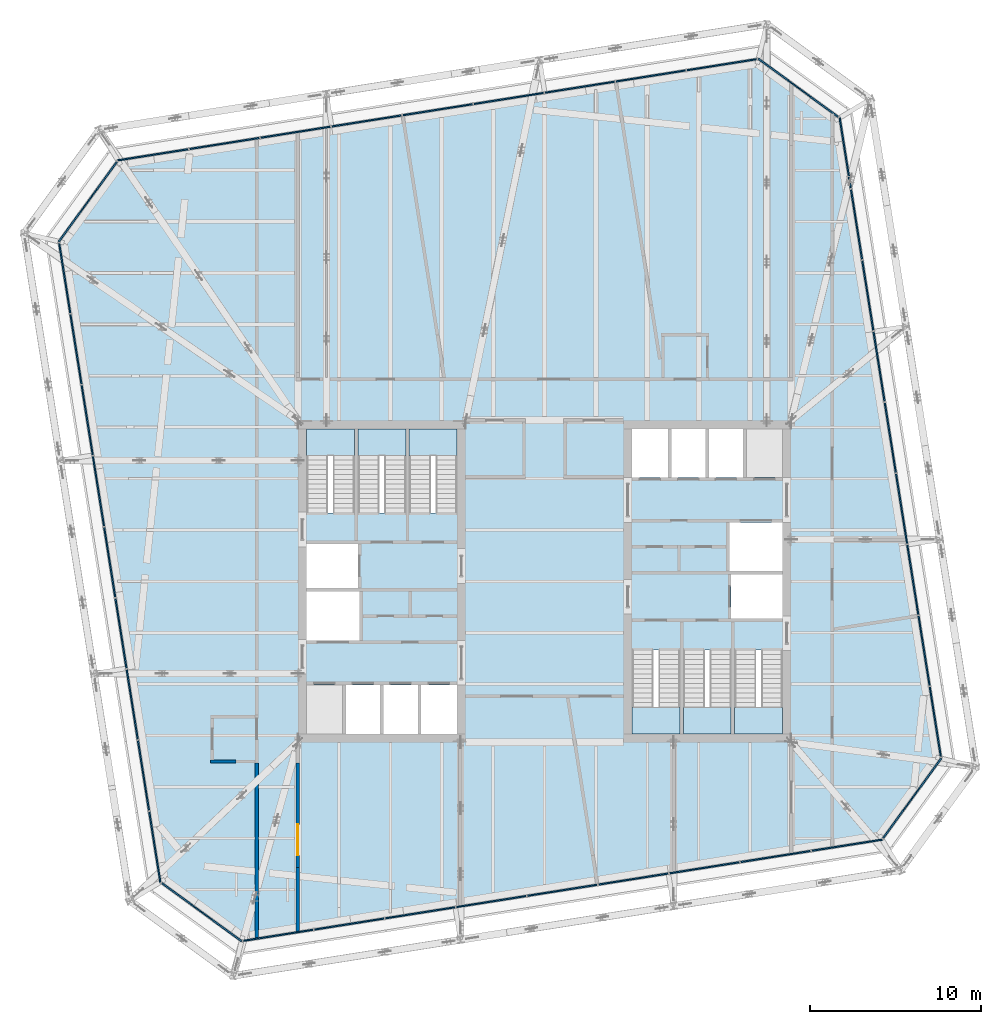
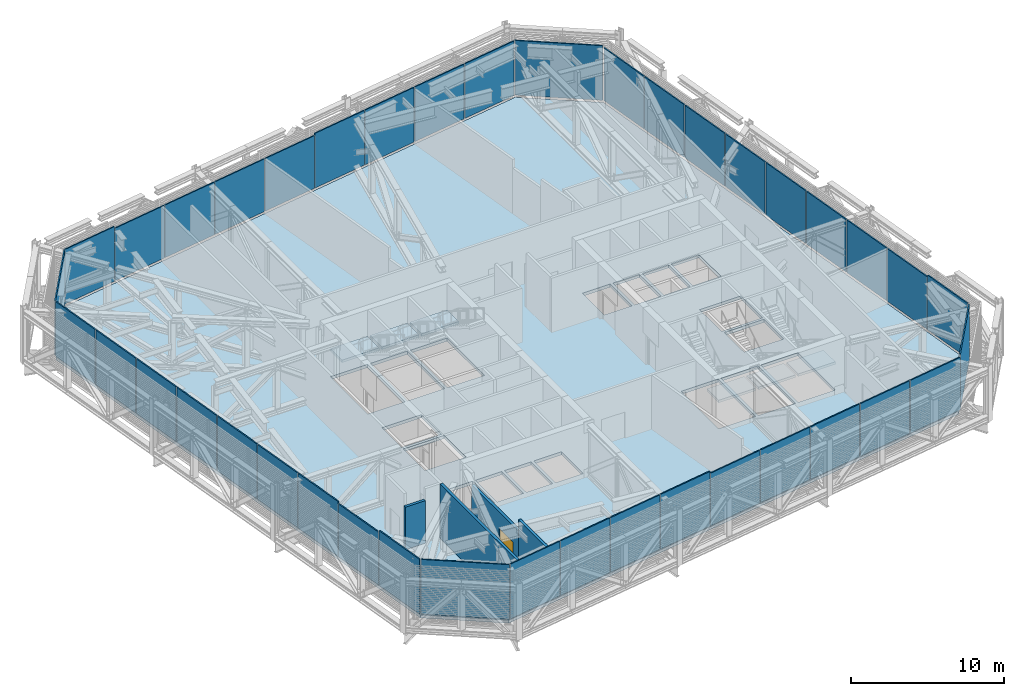
# One storey, part 20 of 32: 40 plates, 7 slabs, 4 walls, 1 door, 1 opening, 14 elements without a shape of their own.
"""IFC4 building model written with IfcOpenShell, lengths in metres."""

from ifc_helpers import new_model, si_unit, direction, frame, frame_2d, origin, place, context, subcontext, project, spatial, polyline, rectangle, outline, extrude, material, layer, layer_set, type_object, element, fill, aggregate, save


model = new_model("IFC4")

# Units and contexts
model_context = context("Model", 3, precision=1e-05, world=origin(), true_north=direction((0.0, 1.0)))
body_context = subcontext(model_context, "Body", "Model", "MODEL_VIEW")
ifc_project = project(units=[si_unit("LENGTHUNIT", "METRE"), si_unit("AREAUNIT", "SQUARE_METRE"), si_unit("VOLUMEUNIT", "CUBIC_METRE"), si_unit("PLANEANGLEUNIT", "RADIAN"), si_unit("MASSUNIT", "GRAM", prefix="KILO")], contexts=[model_context])

# Site, building, storey
site_placement = place(None, origin())
site = spatial("IfcSite", under=ifc_project, at=site_placement, CompositionType="ELEMENT")
building_placement = place(site_placement, origin())
building = spatial("IfcBuilding", under=site, at=building_placement, Name="Millrace Tower", CompositionType="ELEMENT")
storey_placement = place(building_placement, frame((0.0, 0.0, 266.89990234375)))
storey = spatial("IfcBuildingStorey", under=building, at=storey_placement, Name="L61", CompositionType="ELEMENT", Elevation=266.89990234375)

# Curtain wall, plate
ifc_material_1 = material(Name="Aluminium and glass", Category="aluminium")
ifc_layer_1 = layer(ifc_material_1, 0.14990234375)
ifc_layer_set_1 = layer_set([ifc_layer_1], Name="Aluminium and glass")
curtain_wall_type = type_object("IfcCurtainWallType", Name="CW-5 truss and plant storey louvred infill", PredefinedType="NOTDEFINED", material=ifc_layer_set_1)
placement_1 = place(storey_placement, origin())
curtain_wall_1 = element("IfcCurtainWall", 1, at=placement_1, inside=storey, type_object=curtain_wall_type, Name="Curtain wall D-F01 L61", PredefinedType="NOTDEFINED")
ifc_material_2 = material(Name="Glass", Category="glass")
ifc_layer_2 = layer(ifc_material_2, 0.090087890625)
ifc_layer_set_2 = layer_set([ifc_layer_2], Name="Glass")
plate_type = type_object("IfcPlateType", Name="CW-5 truss and plant storey louvred infill louvre cassette", PredefinedType="CURTAIN_PANEL", material=ifc_layer_set_2)
placement_2 = place(storey_placement, frame((0.0, 0.0, 0.14013671875)))
plate_1 = element("IfcPlate", 2, at=placement_2, type_object=plate_type, Name="CW5 panel D-F01.1", PredefinedType="CURTAIN_PANEL", context=body_context, shape_type="SweptSolid", body=[
    extrude(outline(polyline([(-22.378173828125, -17.650634765625), (-17.69970703125, -21.0498046875), (-17.677001953125, -20.955078125), (-22.3251953125, -17.577880859375), (-22.378173828125, -17.650634765625)])), origin(), (0.0, 0.0, 1.0), 4.35986328125),
])
aggregate(curtain_wall_1, [plate_1])

# Curtain wall, plates
curtain_wall_2 = element("IfcCurtainWall", 3, at=placement_1, inside=storey, type_object=curtain_wall_type, Name="Curtain wall D-F02 L61", PredefinedType="NOTDEFINED")
plate_2 = element("IfcPlate", 4, at=placement_2, type_object=plate_type, Name="CW5 panel D-F02.1", PredefinedType="CURTAIN_PANEL", context=body_context, shape_type="SweptSolid", body=[
    extrude(outline(polyline([(-17.58642578125, -21.03173828125), (-13.502197265625, -20.385009765625), (-13.516357421875, -20.296142578125), (-17.600341796875, -20.94287109375), (-17.58642578125, -21.03173828125)])), origin(), (0.0, 0.0, 1.0), 4.35986328125),
])
plate_3 = element("IfcPlate", 5, at=placement_2, type_object=plate_type, Name="CW5 panel D-F02.2", PredefinedType="CURTAIN_PANEL", context=body_context, shape_type="SweptSolid", body=[
    extrude(outline(polyline([(-13.43798828125, -20.374755859375), (-9.35400390625, -19.72802734375), (-9.367919921875, -19.638916015625), (-13.4521484375, -20.285888671875), (-13.43798828125, -20.374755859375)])), origin(), (0.0, 0.0, 1.0), 4.35986328125),
])
plate_4 = element("IfcPlate", 6, at=placement_2, type_object=plate_type, Name="CW5 panel D-F02.3", PredefinedType="CURTAIN_PANEL", context=body_context, shape_type="SweptSolid", body=[
    extrude(outline(polyline([(-9.289794921875, -19.7177734375), (-5.20556640625, -19.07080078125), (-5.2197265625, -18.98193359375), (-9.303955078125, -19.62890625), (-9.289794921875, -19.7177734375)])), origin(), (0.0, 0.0, 1.0), 4.35986328125),
])
plate_5 = element("IfcPlate", 7, at=placement_2, type_object=plate_type, Name="CW5 panel D-F02.4", PredefinedType="CURTAIN_PANEL", context=body_context, shape_type="SweptSolid", body=[
    extrude(outline(polyline([(-5.141357421875, -19.060791015625), (-1.057373046875, -18.413818359375), (-1.071533203125, -18.324951171875), (-5.155517578125, -18.971923828125), (-5.141357421875, -19.060791015625)])), origin(), (0.0, 0.0, 1.0), 4.35986328125),
])
plate_6 = element("IfcPlate", 8, at=placement_2, type_object=plate_type, Name="CW5 panel D-F02.5", PredefinedType="CURTAIN_PANEL", context=body_context, shape_type="SweptSolid", body=[
    extrude(outline(polyline([(-0.9931640625, -18.40380859375), (3.0908203125, -17.7568359375), (3.076904296875, -17.66796875), (-1.00732421875, -18.314697265625), (-0.9931640625, -18.40380859375)])), origin(), (0.0, 0.0, 1.0), 4.199951171875),
])
plate_7 = element("IfcPlate", 9, at=placement_2, type_object=plate_type, Name="CW5 panel D-F02.6", PredefinedType="CURTAIN_PANEL", context=body_context, shape_type="SweptSolid", body=[
    extrude(outline(polyline([(3.155029296875, -17.74658203125), (7.2392578125, -17.099853515625), (7.22509765625, -17.010986328125), (3.14111328125, -17.65771484375), (3.155029296875, -17.74658203125)])), origin(), (0.0, 0.0, 1.0), 4.199951171875),
])
plate_8 = element("IfcPlate", 10, at=placement_2, type_object=plate_type, Name="CW5 panel D-F02.7", PredefinedType="CURTAIN_PANEL", context=body_context, shape_type="SweptSolid", body=[
    extrude(outline(polyline([(7.303466796875, -17.089599609375), (11.387451171875, -16.44287109375), (11.37353515625, -16.35400390625), (7.289306640625, -17.000732421875), (7.303466796875, -17.089599609375)])), origin(), (0.0, 0.0, 1.0), 4.199951171875),
])
plate_9 = element("IfcPlate", 11, at=placement_2, type_object=plate_type, Name="CW5 panel D-F02.8", PredefinedType="CURTAIN_PANEL", context=body_context, shape_type="SweptSolid", body=[
    extrude(outline(polyline([(11.45166015625, -16.4326171875), (15.535888671875, -15.785888671875), (15.521728515625, -15.69677734375), (11.4375, -16.34375), (11.45166015625, -16.4326171875)])), origin(), (0.0, 0.0, 1.0), 4.199951171875),
])
plate_10 = element("IfcPlate", 12, at=placement_2, type_object=plate_type, Name="CW5 panel D-F02.9", PredefinedType="CURTAIN_PANEL", context=body_context, shape_type="SweptSolid", body=[
    extrude(outline(polyline([(15.60009765625, -15.775634765625), (19.733154296875, -15.120849609375), (19.682373046875, -15.037841796875), (15.5859375, -15.686767578125), (15.60009765625, -15.775634765625)])), origin(), (0.0, 0.0, 1.0), 4.199951171875),
])
aggregate(curtain_wall_2, [plate_2, plate_3, plate_4, plate_5, plate_6, plate_7, plate_8, plate_9, plate_10])

# Curtain wall, plate
curtain_wall_3 = element("IfcCurtainWall", 13, at=placement_1, inside=storey, type_object=curtain_wall_type, Name="Curtain wall D-F03 L61", PredefinedType="NOTDEFINED")
plate_11 = element("IfcPlate", 14, at=placement_2, type_object=plate_type, Name="CW5 panel D-F03.1", PredefinedType="CURTAIN_PANEL", context=body_context, shape_type="SweptSolid", body=[
    extrude(outline(polyline([(19.800537109375, -15.028076171875), (23.19970703125, -10.349609375), (23.10498046875, -10.326904296875), (19.727783203125, -14.975341796875), (19.800537109375, -15.028076171875)])), origin(), (0.0, 0.0, 1.0), 4.35986328125),
])
aggregate(curtain_wall_3, [plate_11])

# Curtain wall, plates
curtain_wall_4 = element("IfcCurtainWall", 15, at=placement_1, inside=storey, type_object=curtain_wall_type, Name="Curtain wall D-F04 L61", PredefinedType="NOTDEFINED")
plate_12 = element("IfcPlate", 16, at=placement_2, type_object=plate_type, Name="CW5 panel D-F04.1", PredefinedType="CURTAIN_PANEL", context=body_context, shape_type="SweptSolid", body=[
    extrude(outline(polyline([(23.181884765625, -10.236328125), (22.534912109375, -6.15234375), (22.446044921875, -6.166259765625), (23.093017578125, -10.25048828125), (23.181884765625, -10.236328125)])), origin(), (0.0, 0.0, 1.0), 4.35986328125),
])
plate_13 = element("IfcPlate", 17, at=placement_2, type_object=plate_type, Name="CW5 panel D-F04.2", PredefinedType="CURTAIN_PANEL", context=body_context, shape_type="SweptSolid", body=[
    extrude(outline(polyline([(22.524658203125, -6.088134765625), (21.8779296875, -2.00390625), (21.7890625, -2.01806640625), (22.435791015625, -6.10205078125), (22.524658203125, -6.088134765625)])), origin(), (0.0, 0.0, 1.0), 4.199951171875),
])
plate_14 = element("IfcPlate", 18, at=placement_2, type_object=plate_type, Name="CW5 panel D-F04.3", PredefinedType="CURTAIN_PANEL", context=body_context, shape_type="SweptSolid", body=[
    extrude(outline(polyline([(21.86767578125, -1.939697265625), (21.220947265625, 2.144287109375), (21.132080078125, 2.13037109375), (21.77880859375, -1.953857421875), (21.86767578125, -1.939697265625)])), origin(), (0.0, 0.0, 1.0), 4.199951171875),
])
plate_15 = element("IfcPlate", 19, at=placement_2, type_object=plate_type, Name="CW5 panel D-F04.4", PredefinedType="CURTAIN_PANEL", context=body_context, shape_type="SweptSolid", body=[
    extrude(outline(polyline([(21.210693359375, 2.20849609375), (20.56396484375, 6.292724609375), (20.474853515625, 6.278564453125), (21.121826171875, 2.1943359375), (21.210693359375, 2.20849609375)])), origin(), (0.0, 0.0, 1.0), 4.199951171875),
])
plate_16 = element("IfcPlate", 20, at=placement_2, type_object=plate_type, Name="CW5 panel D-F04.5", PredefinedType="CURTAIN_PANEL", context=body_context, shape_type="SweptSolid", body=[
    extrude(outline(polyline([(20.5537109375, 6.35693359375), (19.90673828125, 10.44091796875), (19.81787109375, 10.4267578125), (20.46484375, 6.3427734375), (20.5537109375, 6.35693359375)])), origin(), (0.0, 0.0, 1.0), 4.199951171875),
])
plate_17 = element("IfcPlate", 21, at=placement_2, type_object=plate_type, Name="CW5 panel D-F04.6", PredefinedType="CURTAIN_PANEL", context=body_context, shape_type="SweptSolid", body=[
    extrude(outline(polyline([(19.896728515625, 10.505126953125), (19.249755859375, 14.589111328125), (19.160888671875, 14.5751953125), (19.807861328125, 10.490966796875), (19.896728515625, 10.505126953125)])), origin(), (0.0, 0.0, 1.0), 4.199951171875),
])
plate_18 = element("IfcPlate", 22, at=placement_2, type_object=plate_type, Name="CW5 panel D-F04.7", PredefinedType="CURTAIN_PANEL", context=body_context, shape_type="SweptSolid", body=[
    extrude(outline(polyline([(19.23974609375, 14.6533203125), (18.5927734375, 18.737548828125), (18.50390625, 18.723388671875), (19.150634765625, 14.639404296875), (19.23974609375, 14.6533203125)])), origin(), (0.0, 0.0, 1.0), 4.199951171875),
])
plate_19 = element("IfcPlate", 23, at=placement_2, type_object=plate_type, Name="CW5 panel D-F04.8", PredefinedType="CURTAIN_PANEL", context=body_context, shape_type="SweptSolid", body=[
    extrude(outline(polyline([(18.58251953125, 18.8017578125), (17.935791015625, 22.8857421875), (17.846923828125, 22.871826171875), (18.49365234375, 18.78759765625), (18.58251953125, 18.8017578125)])), origin(), (0.0, 0.0, 1.0), 4.199951171875),
])
plate_20 = element("IfcPlate", 24, at=placement_2, type_object=plate_type, Name="CW5 panel D-F04.9", PredefinedType="CURTAIN_PANEL", context=body_context, shape_type="SweptSolid", body=[
    extrude(outline(polyline([(17.925537109375, 22.949951171875), (17.27099609375, 27.083251953125), (17.18798828125, 27.0322265625), (17.836669921875, 22.935791015625), (17.925537109375, 22.949951171875)])), origin(), (0.0, 0.0, 1.0), 4.199951171875),
])
aggregate(curtain_wall_4, [plate_12, plate_13, plate_14, plate_15, plate_16, plate_17, plate_18, plate_19, plate_20])

# Curtain wall, plate
curtain_wall_5 = element("IfcCurtainWall", 25, at=placement_1, inside=storey, type_object=curtain_wall_type, Name="Curtain wall D-F05 L61", PredefinedType="NOTDEFINED")
plate_21 = element("IfcPlate", 26, at=placement_2, type_object=plate_type, Name="CW5 panel D-F05.1", PredefinedType="CURTAIN_PANEL", context=body_context, shape_type="SweptSolid", body=[
    extrude(outline(polyline([(17.17822265625, 27.150634765625), (12.499755859375, 30.5498046875), (12.476806640625, 30.455078125), (17.125244140625, 27.077880859375), (17.17822265625, 27.150634765625)])), origin(), (0.0, 0.0, 1.0), 4.35986328125),
])
aggregate(curtain_wall_5, [plate_21])

# Curtain wall, plates
curtain_wall_6 = element("IfcCurtainWall", 27, at=placement_1, inside=storey, type_object=curtain_wall_type, Name="Curtain wall D-F06 L61", PredefinedType="NOTDEFINED")
plate_22 = element("IfcPlate", 28, at=placement_2, type_object=plate_type, Name="CW5 panel D-F06.1", PredefinedType="CURTAIN_PANEL", context=body_context, shape_type="SweptSolid", body=[
    extrude(outline(polyline([(12.38623046875, 30.53173828125), (8.30224609375, 29.885009765625), (8.31640625, 29.796142578125), (12.400390625, 30.44287109375), (12.38623046875, 30.53173828125)])), origin(), (0.0, 0.0, 1.0), 4.35986328125),
])
plate_23 = element("IfcPlate", 29, at=placement_2, type_object=plate_type, Name="CW5 panel D-F06.2", PredefinedType="CURTAIN_PANEL", context=body_context, shape_type="SweptSolid", body=[
    extrude(outline(polyline([(8.238037109375, 29.874755859375), (4.154052734375, 29.22802734375), (4.16796875, 29.138916015625), (8.252197265625, 29.785888671875), (8.238037109375, 29.874755859375)])), origin(), (0.0, 0.0, 1.0), 4.35986328125),
])
plate_24 = element("IfcPlate", 30, at=placement_2, type_object=plate_type, Name="CW5 panel D-F06.3", PredefinedType="CURTAIN_PANEL", context=body_context, shape_type="SweptSolid", body=[
    extrude(outline(polyline([(4.08984375, 29.2177734375), (0.005615234375, 28.57080078125), (0.019775390625, 28.48193359375), (4.103759765625, 29.12890625), (4.08984375, 29.2177734375)])), origin(), (0.0, 0.0, 1.0), 4.35986328125),
])
plate_25 = element("IfcPlate", 31, at=placement_2, type_object=plate_type, Name="CW5 panel D-F06.4", PredefinedType="CURTAIN_PANEL", context=body_context, shape_type="SweptSolid", body=[
    extrude(outline(polyline([(-0.05859375, 28.560791015625), (-4.142578125, 27.913818359375), (-4.128662109375, 27.824951171875), (-0.04443359375, 28.471923828125), (-0.05859375, 28.560791015625)])), origin(), (0.0, 0.0, 1.0), 4.35986328125),
])
plate_26 = element("IfcPlate", 32, at=placement_2, type_object=plate_type, Name="CW5 panel D-F06.5", PredefinedType="CURTAIN_PANEL", context=body_context, shape_type="SweptSolid", body=[
    extrude(outline(polyline([(-4.206787109375, 27.90380859375), (-8.291015625, 27.2568359375), (-8.27685546875, 27.16796875), (-4.192626953125, 27.814697265625), (-4.206787109375, 27.90380859375)])), origin(), (0.0, 0.0, 1.0), 4.199951171875),
])
plate_27 = element("IfcPlate", 33, at=placement_2, type_object=plate_type, Name="CW5 panel D-F06.6", PredefinedType="CURTAIN_PANEL", context=body_context, shape_type="SweptSolid", body=[
    extrude(outline(polyline([(-8.355224609375, 27.24658203125), (-12.439208984375, 26.599853515625), (-12.425048828125, 26.510986328125), (-8.341064453125, 27.15771484375), (-8.355224609375, 27.24658203125)])), origin(), (0.0, 0.0, 1.0), 4.199951171875),
])
plate_28 = element("IfcPlate", 34, at=placement_2, type_object=plate_type, Name="CW5 panel D-F06.7", PredefinedType="CURTAIN_PANEL", context=body_context, shape_type="SweptSolid", body=[
    extrude(outline(polyline([(-12.50341796875, 26.589599609375), (-16.58740234375, 25.94287109375), (-16.573486328125, 25.85400390625), (-12.4892578125, 26.500732421875), (-12.50341796875, 26.589599609375)])), origin(), (0.0, 0.0, 1.0), 4.199951171875),
])
plate_29 = element("IfcPlate", 35, at=placement_2, type_object=plate_type, Name="CW5 panel D-F06.8", PredefinedType="CURTAIN_PANEL", context=body_context, shape_type="SweptSolid", body=[
    extrude(outline(polyline([(-16.651611328125, 25.9326171875), (-20.73583984375, 25.285888671875), (-20.7216796875, 25.19677734375), (-16.6376953125, 25.84375), (-16.651611328125, 25.9326171875)])), origin(), (0.0, 0.0, 1.0), 4.199951171875),
])
plate_30 = element("IfcPlate", 36, at=placement_2, type_object=plate_type, Name="CW5 panel D-F06.9", PredefinedType="CURTAIN_PANEL", context=body_context, shape_type="SweptSolid", body=[
    extrude(outline(polyline([(-20.800048828125, 25.275634765625), (-24.93310546875, 24.620849609375), (-24.88232421875, 24.537841796875), (-20.785888671875, 25.186767578125), (-20.800048828125, 25.275634765625)])), origin(), (0.0, 0.0, 1.0), 4.35986328125),
])
aggregate(curtain_wall_6, [plate_22, plate_23, plate_24, plate_25, plate_26, plate_27, plate_28, plate_29, plate_30])

# Curtain wall, plate
curtain_wall_7 = element("IfcCurtainWall", 37, at=placement_1, inside=storey, type_object=curtain_wall_type, Name="Curtain wall D-F07 L61", PredefinedType="NOTDEFINED")
plate_31 = element("IfcPlate", 38, at=placement_2, type_object=plate_type, Name="CW5 panel D-F07.1", PredefinedType="CURTAIN_PANEL", context=body_context, shape_type="SweptSolid", body=[
    extrude(outline(polyline([(-25.00048828125, 24.528076171875), (-28.399658203125, 19.849609375), (-28.304931640625, 19.826904296875), (-24.927734375, 24.475341796875), (-25.00048828125, 24.528076171875)])), origin(), (0.0, 0.0, 1.0), 4.35986328125),
])
aggregate(curtain_wall_7, [plate_31])

# Curtain wall, plates
curtain_wall_8 = element("IfcCurtainWall", 39, at=placement_1, inside=storey, type_object=curtain_wall_type, Name="Curtain wall D-F08 L61", PredefinedType="NOTDEFINED")
plate_32 = element("IfcPlate", 40, at=placement_2, type_object=plate_type, Name="CW5 panel D-F08.1", PredefinedType="CURTAIN_PANEL", context=body_context, shape_type="SweptSolid", body=[
    extrude(outline(polyline([(-28.3818359375, 19.736328125), (-27.73486328125, 15.65234375), (-27.64599609375, 15.666259765625), (-28.29296875, 19.75048828125), (-28.3818359375, 19.736328125)])), origin(), (0.0, 0.0, 1.0), 4.35986328125),
])
plate_33 = element("IfcPlate", 41, at=placement_2, type_object=plate_type, Name="CW5 panel D-F08.2", PredefinedType="CURTAIN_PANEL", context=body_context, shape_type="SweptSolid", body=[
    extrude(outline(polyline([(-27.724853515625, 15.588134765625), (-27.077880859375, 11.50390625), (-26.989013671875, 11.51806640625), (-27.635986328125, 15.60205078125), (-27.724853515625, 15.588134765625)])), origin(), (0.0, 0.0, 1.0), 4.35986328125),
])
plate_34 = element("IfcPlate", 42, at=placement_2, type_object=plate_type, Name="CW5 panel D-F08.3", PredefinedType="CURTAIN_PANEL", context=body_context, shape_type="SweptSolid", body=[
    extrude(outline(polyline([(-27.067626953125, 11.439697265625), (-26.4208984375, 7.355712890625), (-26.33203125, 7.36962890625), (-26.978759765625, 11.453857421875), (-27.067626953125, 11.439697265625)])), origin(), (0.0, 0.0, 1.0), 4.35986328125),
])
plate_35 = element("IfcPlate", 43, at=placement_2, type_object=plate_type, Name="CW5 panel D-F08.4", PredefinedType="CURTAIN_PANEL", context=body_context, shape_type="SweptSolid", body=[
    extrude(outline(polyline([(-26.41064453125, 7.29150390625), (-25.763916015625, 3.207275390625), (-25.675048828125, 3.221435546875), (-26.32177734375, 7.3056640625), (-26.41064453125, 7.29150390625)])), origin(), (0.0, 0.0, 1.0), 4.35986328125),
])
plate_36 = element("IfcPlate", 44, at=placement_2, type_object=plate_type, Name="CW5 panel D-F08.5", PredefinedType="CURTAIN_PANEL", context=body_context, shape_type="SweptSolid", body=[
    extrude(outline(polyline([(-25.753662109375, 3.14306640625), (-25.10693359375, -0.94091796875), (-25.01806640625, -0.9267578125), (-25.664794921875, 3.1572265625), (-25.753662109375, 3.14306640625)])), origin(), (0.0, 0.0, 1.0), 4.35986328125),
])
plate_37 = element("IfcPlate", 45, at=placement_2, type_object=plate_type, Name="CW5 panel D-F08.6", PredefinedType="CURTAIN_PANEL", context=body_context, shape_type="SweptSolid", body=[
    extrude(outline(polyline([(-25.0966796875, -1.005126953125), (-24.44970703125, -5.089111328125), (-24.36083984375, -5.0751953125), (-25.0078125, -0.990966796875), (-25.0966796875, -1.005126953125)])), origin(), (0.0, 0.0, 1.0), 4.35986328125),
])
plate_38 = element("IfcPlate", 46, at=placement_2, type_object=plate_type, Name="CW5 panel D-F08.7", PredefinedType="CURTAIN_PANEL", context=body_context, shape_type="SweptSolid", body=[
    extrude(outline(polyline([(-24.439697265625, -5.1533203125), (-23.792724609375, -9.237548828125), (-23.703857421875, -9.223388671875), (-24.350830078125, -5.139404296875), (-24.439697265625, -5.1533203125)])), origin(), (0.0, 0.0, 1.0), 4.35986328125),
])
plate_39 = element("IfcPlate", 47, at=placement_2, type_object=plate_type, Name="CW5 panel D-F08.8", PredefinedType="CURTAIN_PANEL", context=body_context, shape_type="SweptSolid", body=[
    extrude(outline(polyline([(-23.78271484375, -9.3017578125), (-23.1357421875, -13.3857421875), (-23.046875, -13.371826171875), (-23.69384765625, -9.28759765625), (-23.78271484375, -9.3017578125)])), origin(), (0.0, 0.0, 1.0), 4.199951171875),
])
plate_40 = element("IfcPlate", 48, at=placement_2, type_object=plate_type, Name="CW5 panel D-F08.9", PredefinedType="CURTAIN_PANEL", context=body_context, shape_type="SweptSolid", body=[
    extrude(outline(polyline([(-23.12548828125, -13.449951171875), (-22.470947265625, -17.583251953125), (-22.387939453125, -17.5322265625), (-23.03662109375, -13.435791015625), (-23.12548828125, -13.449951171875)])), origin(), (0.0, 0.0, 1.0), 4.35986328125),
])
aggregate(curtain_wall_8, [plate_32, plate_33, plate_34, plate_35, plate_36, plate_37, plate_38, plate_39, plate_40])

# Slab
ifc_material_3 = material(Name="Concrete C35 on steel deck", Category="concrete")
ifc_layer_3 = layer(ifc_material_3, 0.25)
ifc_layer_set_3 = layer_set([ifc_layer_3], Name="Concrete C35 on steel deck")
slab_type_1 = type_object("IfcSlabType", Name="Composite floor slab 250 mm", PredefinedType="FLOOR", material=ifc_layer_set_3)
slab_1_placement = place(storey_placement, frame((0.0, 0.0, -0.25)))
element("IfcSlab", 49, at=slab_1_placement, inside=storey, type_object=slab_type_1, Name="SL-D-L61-S1", PredefinedType="FLOOR", context=body_context, shape_type="SweptSolid", body=[
    extrude(outline(polyline([(-22.360107421875, -17.515380859375), (-17.66943359375, -20.92333984375), (19.665283203125, -15.01025390625), (23.073486328125, -10.3193359375), (17.16015625, 27.015380859375), (12.46923828125, 30.42333984375), (-24.865234375, 24.51025390625), (-28.2734375, 19.8193359375), (-22.360107421875, -17.515380859375)]), holes=[polyline([(-13.89990234375, -8.89990234375), (-11.800048828125, -8.89990234375), (-11.800048828125, -6.050048828125), (-13.89990234375, -6.050048828125), (-13.89990234375, -8.89990234375)]), polyline([(-11.60009765625, -8.89990234375), (-9.60009765625, -8.89990234375), (-9.60009765625, -6.050048828125), (-11.60009765625, -6.050048828125), (-11.60009765625, -8.89990234375)]), polyline([(-9.39990234375, -8.89990234375), (-7.39990234375, -8.89990234375), (-7.39990234375, -6.050048828125), (-9.39990234375, -6.050048828125), (-9.39990234375, -8.89990234375)]), polyline([(-7.199951171875, -8.89990234375), (-5.10009765625, -8.89990234375), (-5.10009765625, -6.050048828125), (-7.199951171875, -6.050048828125), (-7.199951171875, -8.89990234375)]), polyline([(-13.89990234375, -3.449951171875), (-10.800048828125, -3.449951171875), (-10.800048828125, -0.60009765625), (-13.89990234375, -0.60009765625), (-13.89990234375, -3.449951171875)]), polyline([(-13.89990234375, -0.39990234375), (-10.89990234375, -0.39990234375), (-10.89990234375, 2.179931640625), (-13.89990234375, 2.179931640625), (-13.89990234375, -0.39990234375)]), polyline([(-13.89990234375, 4.0), (-11.10009765625, 4.0), (-11.10009765625, 8.89990234375), (-13.89990234375, 8.89990234375), (-13.89990234375, 4.0)]), polyline([(-10.89990234375, 4.0), (-8.10009765625, 4.0), (-8.10009765625, 8.89990234375), (-10.89990234375, 8.89990234375), (-10.89990234375, 4.0)]), polyline([(-7.89990234375, 4.0), (-5.10009765625, 4.0), (-5.10009765625, 8.89990234375), (-7.89990234375, 8.89990234375), (-7.89990234375, 4.0)]), polyline([(11.800048828125, 6.050048828125), (13.89990234375, 6.050048828125), (13.89990234375, 8.89990234375), (11.800048828125, 8.89990234375), (11.800048828125, 6.050048828125)]), polyline([(9.60009765625, 6.050048828125), (11.60009765625, 6.050048828125), (11.60009765625, 8.89990234375), (9.60009765625, 8.89990234375), (9.60009765625, 6.050048828125)]), polyline([(7.39990234375, 6.050048828125), (9.39990234375, 6.050048828125), (9.39990234375, 8.89990234375), (7.39990234375, 8.89990234375), (7.39990234375, 6.050048828125)]), polyline([(5.10009765625, 6.050048828125), (7.199951171875, 6.050048828125), (7.199951171875, 8.89990234375), (5.10009765625, 8.89990234375), (5.10009765625, 6.050048828125)]), polyline([(10.800048828125, 0.60009765625), (13.89990234375, 0.60009765625), (13.89990234375, 3.449951171875), (10.800048828125, 3.449951171875), (10.800048828125, 0.60009765625)]), polyline([(10.89990234375, -2.179931640625), (13.89990234375, -2.179931640625), (13.89990234375, 0.39990234375), (10.89990234375, 0.39990234375), (10.89990234375, -2.179931640625)]), polyline([(11.10009765625, -8.89990234375), (13.89990234375, -8.89990234375), (13.89990234375, -4.0), (11.10009765625, -4.0), (11.10009765625, -8.89990234375)]), polyline([(8.10009765625, -8.89990234375), (10.89990234375, -8.89990234375), (10.89990234375, -4.0), (8.10009765625, -4.0), (8.10009765625, -8.89990234375)]), polyline([(5.10009765625, -8.89990234375), (7.89990234375, -8.89990234375), (7.89990234375, -4.0), (5.10009765625, -4.0), (5.10009765625, -8.89990234375)])]), origin(), (0.0, 0.0, 1.0), 0.25),
])

# Stair, slab
ifc_material_4 = material(Name="Concrete C35", Category="concrete")
stair_type = type_object("IfcStairType", Name="Exit stair", PredefinedType="HALF_TURN_STAIR", material=ifc_material_4)
stair_1 = element("IfcStair", 50, at=placement_1, inside=storey, type_object=stair_type, Name="Stair 1 W L61", PredefinedType="HALF_TURN_STAIR")
ifc_material_5 = material(Name="Concrete C40", Category="concrete")
ifc_layer_4 = layer(ifc_material_5, 0.199951171875)
ifc_layer_set_4 = layer_set([ifc_layer_4], Name="Concrete C40")
slab_type_2 = type_object("IfcSlabType", Name="Stair landing", PredefinedType="LANDING", material=ifc_layer_set_4)
placement_3 = place(storey_placement, frame((0.0, 0.0, 2.050048828125)))
slab_2 = element("IfcSlab", 51, at=placement_3, type_object=slab_type_2, Name="ST12 landing 1", PredefinedType="LANDING", context=body_context, shape_type="SweptSolid", body=[
    extrude(outline(polyline([(-13.89990234375, 7.360107421875), (-11.10009765625, 7.360107421875), (-11.10009765625, 8.89990234375), (-13.89990234375, 8.89990234375), (-13.89990234375, 7.360107421875)])), origin(), (0.0, 0.0, 1.0), 0.199951171875),
])
aggregate(stair_1, [slab_2])

stair_2 = element("IfcStair", 52, at=placement_1, inside=storey, type_object=stair_type, Name="Stair 2 W L61", PredefinedType="HALF_TURN_STAIR")
slab_3 = element("IfcSlab", 53, at=placement_3, type_object=slab_type_2, Name="ST12 landing 1", PredefinedType="LANDING", context=body_context, shape_type="SweptSolid", body=[
    extrude(outline(polyline([(-10.89990234375, 7.360107421875), (-8.10009765625, 7.360107421875), (-8.10009765625, 8.89990234375), (-10.89990234375, 8.89990234375), (-10.89990234375, 7.360107421875)])), origin(), (0.0, 0.0, 1.0), 0.199951171875),
])
aggregate(stair_2, [slab_3])

stair_3 = element("IfcStair", 54, at=placement_1, inside=storey, type_object=stair_type, Name="Stair 3 W L61", PredefinedType="HALF_TURN_STAIR")
slab_4 = element("IfcSlab", 55, at=placement_3, type_object=slab_type_2, Name="ST12 landing 1", PredefinedType="LANDING", context=body_context, shape_type="SweptSolid", body=[
    extrude(outline(polyline([(-7.89990234375, 7.360107421875), (-5.10009765625, 7.360107421875), (-5.10009765625, 8.89990234375), (-7.89990234375, 8.89990234375), (-7.89990234375, 7.360107421875)])), origin(), (0.0, 0.0, 1.0), 0.199951171875),
])
aggregate(stair_3, [slab_4])

stair_4 = element("IfcStair", 56, at=placement_1, inside=storey, type_object=stair_type, Name="Stair 1 E L61", PredefinedType="HALF_TURN_STAIR")
slab_5 = element("IfcSlab", 57, at=placement_3, type_object=slab_type_2, Name="ST12 landing 1", PredefinedType="LANDING", context=body_context, shape_type="SweptSolid", body=[
    extrude(outline(polyline([(11.10009765625, -8.89990234375), (13.89990234375, -8.89990234375), (13.89990234375, -7.360107421875), (11.10009765625, -7.360107421875), (11.10009765625, -8.89990234375)])), origin(), (0.0, 0.0, 1.0), 0.199951171875),
])
aggregate(stair_4, [slab_5])

stair_5 = element("IfcStair", 58, at=placement_1, inside=storey, type_object=stair_type, Name="Stair 2 E L61", PredefinedType="HALF_TURN_STAIR")
slab_6 = element("IfcSlab", 59, at=placement_3, type_object=slab_type_2, Name="ST12 landing 1", PredefinedType="LANDING", context=body_context, shape_type="SweptSolid", body=[
    extrude(outline(polyline([(8.10009765625, -8.89990234375), (10.89990234375, -8.89990234375), (10.89990234375, -7.360107421875), (8.10009765625, -7.360107421875), (8.10009765625, -8.89990234375)])), origin(), (0.0, 0.0, 1.0), 0.199951171875),
])
aggregate(stair_5, [slab_6])

stair_6 = element("IfcStair", 60, at=placement_1, inside=storey, type_object=stair_type, Name="Stair 3 E L61", PredefinedType="HALF_TURN_STAIR")
slab_7 = element("IfcSlab", 61, at=placement_3, type_object=slab_type_2, Name="ST12 landing 1", PredefinedType="LANDING", context=body_context, shape_type="SweptSolid", body=[
    extrude(outline(polyline([(5.10009765625, -8.89990234375), (7.89990234375, -8.89990234375), (7.89990234375, -7.360107421875), (5.10009765625, -7.360107421875), (5.10009765625, -8.89990234375)])), origin(), (0.0, 0.0, 1.0), 0.199951171875),
])
aggregate(stair_6, [slab_7])

# Wall
ifc_material_6 = material(Name="Masonry partition, fire-rated", Category="masonry")
ifc_layer_5 = layer(ifc_material_6, 0.199951171875)
ifc_layer_set_5 = layer_set([ifc_layer_5], Name="Masonry partition, fire-rated")
wall_type_1 = type_object("IfcWallType", Name="Corridor wall 200", PredefinedType="PARTITIONING", material=ifc_layer_set_5)
wall_1_placement = place(storey_placement, frame((-14.39990234375, -20.43603515625, 0.0), z_axis=(0.0, 0.0, 1.0), x_axis=(0.0, 1.0, 0.0)))
element("IfcWall", 62, at=wall_1_placement, inside=storey, type_object=wall_type_1, Name="Corridor wall L61", PredefinedType="PARTITIONING", context=body_context, shape_type="SweptSolid", body=[
    extrude(rectangle(XDim=3.74365234375, YDim=0.199951171875, at=frame_2d((1.871826171875, 0.0))), origin(), (0.0, 0.0, 1.0), 4.340087890625),
])

# Wall, opening, door
wall_2_placement = place(storey_placement, frame((-14.39990234375, -16.6923828125, 0.0), z_axis=(0.0, 0.0, 1.0), x_axis=(0.0, 1.0, 0.0)))
wall_2 = element("IfcWall", 63, at=wall_2_placement, inside=storey, type_object=wall_type_1, Name="Corridor wall L61", PredefinedType="PARTITIONING", context=body_context, shape_type="SweptSolid", body=[
    extrude(rectangle(XDim=6.08984375, YDim=0.199951171875, at=frame_2d((3.044921875, 0.0))), origin(), (0.0, 0.0, 1.0), 3.4130859375),
])
opening_placement = place(wall_2_placement, frame((0.69970703125, 0.0, 0.0)))
opening = element("IfcOpeningElement", 64, at=opening_placement, cuts=wall_2, Name="Opening 61-P013", PredefinedType="OPENING", context=body_context, shape_type="SweptSolid", body=[
    extrude(rectangle(XDim=1.800048828125, YDim=2.10009765625, at=frame_2d((0.89990234375, 1.050048828125))), frame((0.0, 0.10986328125, 0.0), z_axis=(0.0, -1.0, 0.0), x_axis=(1.0, 0.0, 0.0)), (0.0, 0.0, 1.0), 0.219970703125),
])
ifc_material_7 = material(Name="Steel door set, fire-rated", Category="steel")
door_type = type_object("IfcDoorType", Name="Plant room door 1800 x 2100", OperationType="DOUBLE_DOOR_SINGLE_SWING", PredefinedType="DOOR", material=ifc_material_7)
door_placement = place(opening_placement, frame((1.800048828125, 0.0, 0.0), z_axis=(0.0, 0.0, 1.0), x_axis=(-1.0, 0.0, 0.0)))
door = element("IfcDoor", 65, at=door_placement, inside=storey, type_object=door_type, Name="Door 61-P013", OperationType="DOUBLE_DOOR_SINGLE_SWING", OverallHeight=2.10009765625, OverallWidth=1.800048828125, PredefinedType="DOOR", context=body_context, shape_type="SweptSolid", body=[
    extrude(rectangle(XDim=1.800048828125, YDim=2.10009765625, at=frame_2d((0.89990234375, 1.050048828125))), frame((0.0, 0.02490234375, 0.0), z_axis=(0.0, -1.0, 0.0), x_axis=(1.0, 0.0, 0.0)), (0.0, 0.0, 1.0), 0.050048828125),
])
fill(opening, door)

# Walls
ifc_material_8 = material(Name="Masonry partition, fire-rated", Category="masonry")
ifc_layer_6 = layer(ifc_material_8, 0.199951171875)
ifc_layer_set_6 = layer_set([ifc_layer_6], Name="Masonry partition, fire-rated")
wall_type_2 = type_object("IfcWallType", Name="Refuge area wall 200", PredefinedType="PARTITIONING", material=ifc_layer_set_6)
wall_3_placement = place(storey_placement, frame((-19.5, -10.51611328125, 0.0), z_axis=(0.0, 0.0, 1.0), x_axis=(1.0, 0.0, 0.0)))
element("IfcWall", 66, at=wall_3_placement, inside=storey, type_object=wall_type_2, Name="Refuge area wall L61", PredefinedType="PARTITIONING", context=body_context, shape_type="SweptSolid", body=[
    extrude(rectangle(XDim=1.49072265625, YDim=0.199951171875, at=frame_2d((0.745361328125, 0.0))), origin(), (0.0, 0.0, 1.0), 3.392578125),
])
wall_4_placement = place(storey_placement, frame((-16.800048828125, -20.816162109375, 0.0), z_axis=(0.0, 0.0, 1.0), x_axis=(0.0, 1.0, 0.0)))
element("IfcWall", 67, at=wall_4_placement, inside=storey, type_object=wall_type_2, Name="Refuge area wall L61", PredefinedType="PARTITIONING", context=body_context, shape_type="SweptSolid", body=[
    extrude(rectangle(XDim=10.2001953125, YDim=0.199951171875, at=frame_2d((5.10009765625, 0.0))), origin(), (0.0, 0.0, 1.0), 4.340087890625),
])

save(model, "model.ifc")
